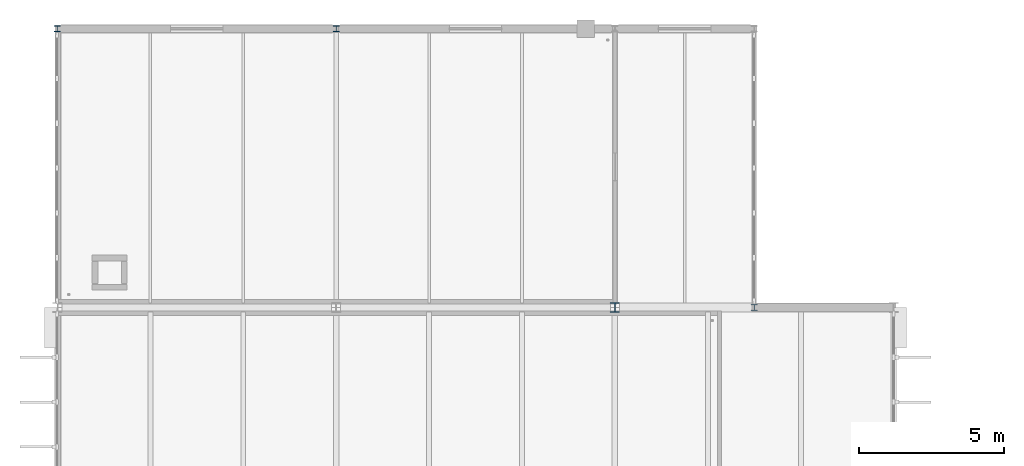
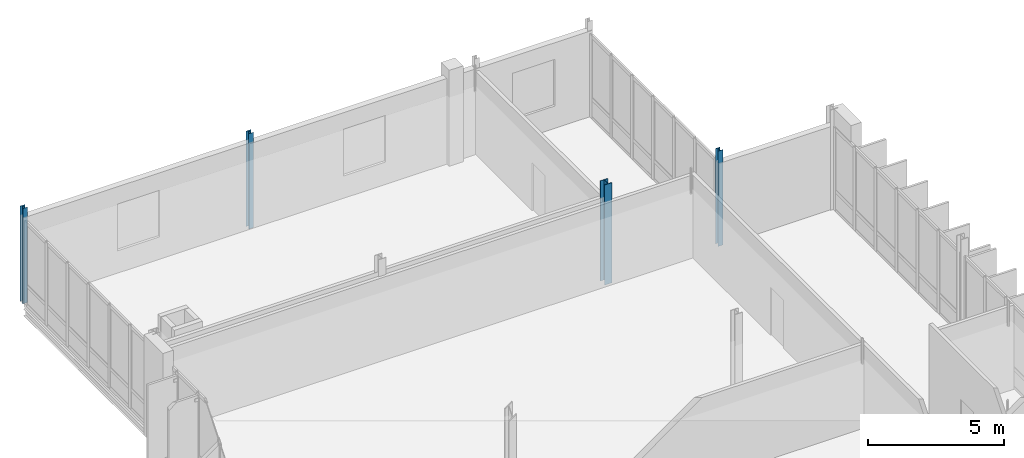
# One storey, part 10 of 110: 4 columns.
"""IFC4 building model written with IfcOpenShell, lengths in metres."""

from ifc_helpers import new_model, si_unit, direction, frame, origin, origin_2d, place, context, subcontext, project, spatial, i_section, extrude, material, material_profile, profile_set, type_object, element, save


model = new_model("IFC4")

# Units and contexts
model_context = context("Model", 3, precision=1e-05, world=origin(), true_north=direction((0.0, 1.0)))
body_context = subcontext(model_context, "Body", "Model", "MODEL_VIEW")
ifc_project = project(units=[si_unit("LENGTHUNIT", "METRE"), si_unit("AREAUNIT", "SQUARE_METRE"), si_unit("VOLUMEUNIT", "CUBIC_METRE"), si_unit("PLANEANGLEUNIT", "RADIAN"), si_unit("MASSUNIT", "GRAM", prefix="KILO")], contexts=[model_context])

# Site, building, storey
site_placement = place(None, origin())
site = spatial("IfcSite", under=ifc_project, at=site_placement, CompositionType="ELEMENT")
building_placement = place(site_placement, origin())
building = spatial("IfcBuilding", under=site, at=building_placement, Name="Dunescarp Central Library", CompositionType="ELEMENT")
storey_placement = place(building_placement, frame((0.0, 0.0, 9.60009765625)))
storey = spatial("IfcBuildingStorey", under=building, at=storey_placement, Name="L02", CompositionType="ELEMENT", Elevation=9.60009765625)

# Columns
ifc_material = material(Name="Steel S355JR", Category="steel")
ifc_material_profile_1 = material_profile(ifc_material, i_section(OverallWidth=0.20361328125, OverallDepth=0.203125, WebThickness=0.007080078125, FlangeThickness=0.010986328125, at=origin_2d()), Name="UC 203x203x46")
ifc_profile_set_1 = profile_set([ifc_material_profile_1], Name="Steel S355JR")
column_type_1 = type_object("IfcColumnType", Name="STR-COL-UC203X46", PredefinedType="COLUMN", material=ifc_profile_set_1)
for number, where, z_axis, x_axis, name in (
    (1, (0.0, 99.199951171875, 0.0), (0.0, 0.0, 1.0), (1.0, 0.0, 0.0), "L02 column V4N1-0"),
    (2, (9.60009765625, 99.199951171875, 0.0), (0.0, 0.0, 1.0), (1.0, 0.0, 0.0), "L02 column V4N1-96"),
    (3, (24.0, 89.60009765625, 0.0), (0.0, 0.0, 1.0), (1.0, 0.0, 0.0), "L02 column V4NE-240-896"),
):
    element("IfcColumn", number, at=place(storey_placement, frame(where, z_axis=z_axis, x_axis=x_axis)), inside=storey, type_object=column_type_1, Name=name, PredefinedType="COLUMN", context=body_context, shape_type="SweptSolid", body=[
        extrude(i_section(OverallWidth=0.20361328125, OverallDepth=0.203125, WebThickness=0.007080078125, FlangeThickness=0.010986328125, at=origin_2d()), origin(), (0.0, 0.0, 1.0), 4.27978515625),
    ])
ifc_material_profile_2 = material_profile(ifc_material, i_section(OverallWidth=0.311279296875, OverallDepth=0.3271484375, WebThickness=0.015869140625, FlangeThickness=0.02490234375, at=origin_2d()), Name="UC 305x305x158")
ifc_profile_set_2 = profile_set([ifc_material_profile_2], Name="Steel S355JR")
column_type_2 = type_object("IfcColumnType", Name="STR-COL-UC305X158", PredefinedType="COLUMN", material=ifc_profile_set_2)
column_placement = place(storey_placement, frame((19.199951171875, 89.60009765625, 0.0), z_axis=(0.0, 0.0, 1.0), x_axis=(1.0, 0.0, 0.0)))
element("IfcColumn", 4, at=column_placement, inside=storey, type_object=column_type_2, Name="L02 column V4M-192-896", PredefinedType="COLUMN", context=body_context, shape_type="SweptSolid", body=[
    extrude(i_section(OverallWidth=0.311279296875, OverallDepth=0.3271484375, WebThickness=0.015869140625, FlangeThickness=0.02490234375, at=origin_2d()), origin(), (0.0, 0.0, 1.0), 4.5),
])

save(model, "model.ifc")
